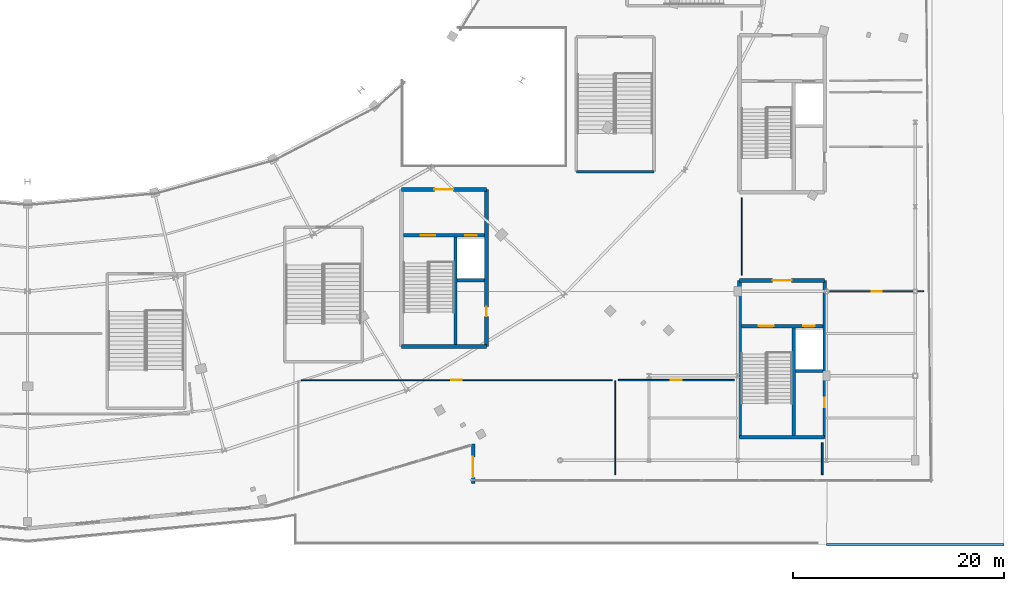
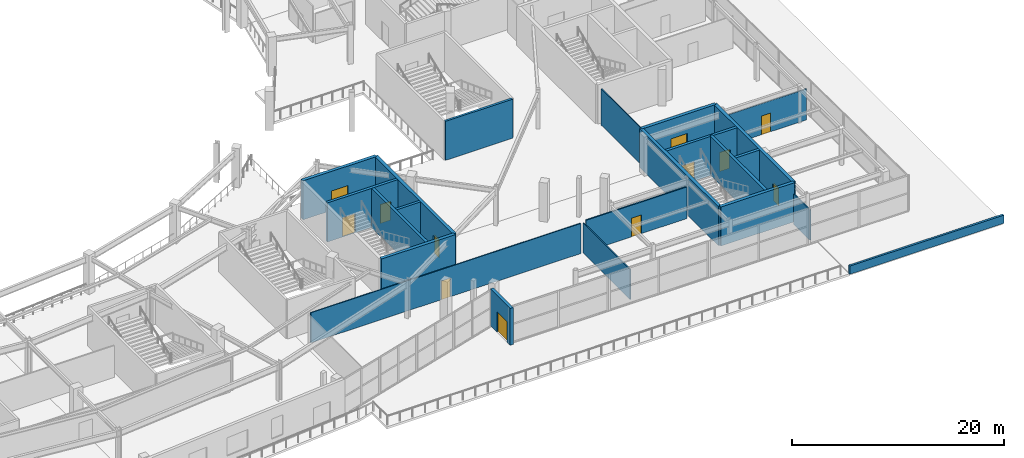
# One storey, part 80 of 107: 22 walls, 12 doors, 12 openings.
"""IFC4 building model written with IfcOpenShell, lengths in metres."""

import ifcopenshell
import ifcopenshell.guid

model = None  # the IFC model being written
_history = None  # IfcOwnerHistory: only IFC2X3 demands one
_inside = {}  # id of a spatial element -> (the spatial element, [elements in it])
_under = {}  # id of a project, library or spatial element -> (it, [spatial elements below it])
_declared = {}  # id of a project -> (the project, [libraries it declares])
_typed = {}  # id of a type object -> (the type object, [elements of that type])
_made_of = {}  # id of a material, layer set ... -> (it, [elements and type objects made of it])


def new_model(schema):
    """Start an empty IFC model of exactly this schema.

    Asked for "IFC4X3", IfcOpenShell would pick the latest addendum, in which some entities
    have other attributes; the version numbers below select the first issue.
    IFC2X3 requires an IfcOwnerHistory on every rooted entity: one is made here for all.
    """
    global model, _history
    if schema == "IFC4X3":
        model = ifcopenshell.file(schema_version=(4, 3, 0, 0))
    else:
        model = ifcopenshell.file(schema=schema)
    _inside.clear()
    _under.clear()
    _declared.clear()
    _typed.clear()
    _made_of.clear()
    _history = None
    if model.schema == "IFC2X3":
        org = make("IfcOrganization", Name="unknown")
        user = make(
            "IfcPersonAndOrganization",
            ThePerson=make("IfcPerson", FamilyName="unknown"),
            TheOrganization=org,
        )
        app = make(
            "IfcApplication",
            ApplicationDeveloper=org,
            Version="unknown",
            ApplicationFullName="unknown",
            ApplicationIdentifier="unknown",
        )
        _history = make(
            "IfcOwnerHistory",
            OwningUser=user,
            OwningApplication=app,
            ChangeAction="ADDED",
            CreationDate=0,
        )
    return model


def make(cls, **values):
    """One entity of the class cls with the attributes given. An attribute that is None is left unset."""
    return model.create_entity(
        cls, **{name: value for name, value in values.items() if value is not None}
    )


def rooted(cls, **values):
    """An entity with a GlobalId (a new one), such as an element, a storey or a relation."""
    return make(cls, GlobalId=ifcopenshell.guid.new(), OwnerHistory=_history, **values)


def si_unit(unit_type, name, prefix=None):
    """IfcSIUnit, for example si_unit("LENGTHUNIT", "METRE", prefix="MILLI")."""
    return make("IfcSIUnit", UnitType=unit_type, Prefix=prefix, Name=name)


def assignment(units):
    """IfcUnitAssignment: the units of a project."""
    return None if units is None else make("IfcUnitAssignment", Units=units)


def point(xyz):
    """IfcCartesianPoint."""
    return None if xyz is None else make("IfcCartesianPoint", Coordinates=xyz)


def direction(xyz):
    """IfcDirection."""
    return None if xyz is None else make("IfcDirection", DirectionRatios=xyz)


def frame(location, z_axis=None, x_axis=None):
    """IfcAxis2Placement3D, a coordinate frame: its origin and axes. An axis left out is left unset."""
    return make(
        "IfcAxis2Placement3D",
        Location=point(location),
        Axis=direction(z_axis),
        RefDirection=direction(x_axis),
    )


def frame_2d(location, x_axis=None):
    """IfcAxis2Placement2D, a coordinate frame in the plane: its origin and x axis."""
    return make(
        "IfcAxis2Placement2D", Location=point(location), RefDirection=direction(x_axis)
    )


def origin():
    """The frame at (0, 0, 0) with its axes left unset."""
    return frame((0.0, 0.0, 0.0))


def place(relative_to, where):
    """IfcLocalPlacement: puts the frame where relative to a parent placement (None: the world)."""
    return make(
        "IfcLocalPlacement", PlacementRelTo=relative_to, RelativePlacement=where
    )


def context(
    kind, dimensions, precision=None, world=None, true_north=None, identifier=None
):
    """IfcGeometricRepresentationContext, for example the 3D "Model" context."""
    return make(
        "IfcGeometricRepresentationContext",
        ContextIdentifier=identifier,
        ContextType=kind,
        CoordinateSpaceDimension=dimensions,
        Precision=precision,
        WorldCoordinateSystem=world,
        TrueNorth=true_north,
    )


def subcontext(parent, identifier, kind, view, scale=None):
    """IfcGeometricRepresentationSubContext, for example "Body" below "Model"."""
    return make(
        "IfcGeometricRepresentationSubContext",
        ContextIdentifier=identifier,
        ContextType=kind,
        ParentContext=parent,
        TargetScale=scale,
        TargetView=view,
    )


def project(units=None, contexts=None):
    """IfcProject with its units and contexts."""
    return rooted(
        "IfcProject",
        Name="project",
        RepresentationContexts=contexts,
        UnitsInContext=assignment(units),
    )


def spatial(cls, under=None, at=None, **own):
    """A site, building, storey or space (cls), placed at a placement, below another one or the project."""
    s = rooted(cls, ObjectPlacement=at, **own)
    if under is not None:
        _under.setdefault(under.id(), (under, []))[1].append(s)
    return s


def profile(cls, at=None, kind="AREA", **sizes):
    """A parametric profile (cls). Its sizes go by their IFC names, for example OverallWidth=200.0."""
    return make(cls, ProfileType=kind, Position=at, **sizes)


def rectangle(**sizes):
    """IfcRectangleProfileDef."""
    return profile("IfcRectangleProfileDef", **sizes)


def extrude(swept, where, along, depth):
    """IfcExtrudedAreaSolid: the profile swept, set in the frame where, extruded along a direction by depth."""
    return make(
        "IfcExtrudedAreaSolid",
        SweptArea=swept,
        Position=where,
        ExtrudedDirection=direction(along),
        Depth=depth,
    )


def shape(context_of_items, identifier, shape_type, items):
    """IfcShapeRepresentation: the items that make up one representation, for example the "Body"."""
    return make(
        "IfcShapeRepresentation",
        ContextOfItems=context_of_items,
        RepresentationIdentifier=identifier,
        RepresentationType=shape_type,
        Items=items,
    )


def material(Name=None, Category=None):
    """IfcMaterial."""
    return make("IfcMaterial", Name=Name, Category=Category)


def layer(
    of_material, thickness, ventilated=None, Name=None, Category=None, Priority=None
):
    """IfcMaterialLayer: one layer of a wall or slab, of a material (None: an air gap)."""
    return make(
        "IfcMaterialLayer",
        Material=of_material,
        LayerThickness=thickness,
        IsVentilated=ventilated,
        Name=Name,
        Category=Category,
        Priority=Priority,
    )


def layer_set(layers, Name=None):
    """IfcMaterialLayerSet."""
    return make("IfcMaterialLayerSet", MaterialLayers=layers, LayerSetName=Name)


def made_of(thing, what):
    """Note that an element or type object is made of a material, layer set ...; save() writes the relation."""
    if what is not None:
        _made_of.setdefault(what.id(), (what, []))[1].append(thing)
    return thing


def type_object(cls, material=None, **own):
    """A type object (cls), such as IfcWallType, which elements share."""
    return made_of(rooted(cls, **own), material)


def element(
    cls,
    number,
    at=None,
    inside=None,
    cuts=None,
    type_object=None,
    material=None,
    context=None,
    identifier="Body",
    shape_type=None,
    held_by="IfcProductDefinitionShape",
    body=None,
    shapes=None,
    **own,
):
    """One element of the class cls, such as IfcWall. Its Tag is "e" and its number.

    at: its placement. inside: the storey or other place that contains it. cuts: it is an
    opening in that element (IfcRelVoidsElement). A single representation is given by context,
    identifier, shape_type and body (its items); several are given by shapes. held_by: the class
    of the entity that holds the representations. save() writes the other relations.
    """
    e = rooted(cls, Tag="e%d" % number, ObjectPlacement=at, **own)
    if body is not None:
        shapes = [shape(context, identifier, shape_type, body)]
    if shapes is not None:
        e.Representation = make(held_by, Representations=shapes)
    if inside is not None:
        _inside.setdefault(inside.id(), (inside, []))[1].append(e)
    if cuts is not None:
        rooted(
            "IfcRelVoidsElement", RelatingBuildingElement=cuts, RelatedOpeningElement=e
        )
    if type_object is not None:
        _typed.setdefault(type_object.id(), (type_object, []))[1].append(e)
    return made_of(e, material)


def fill(opening, filler):
    """IfcRelFillsElement: the door or window that sits in an opening."""
    return rooted(
        "IfcRelFillsElement",
        RelatingOpeningElement=opening,
        RelatedBuildingElement=filler,
    )


def aggregate(whole, parts):
    """IfcRelAggregates: a whole, such as a stair, and the parts it consists of."""
    return rooted("IfcRelAggregates", RelatingObject=whole, RelatedObjects=parts)


def save(model, path):
    """Write the relations noted so far, then the file.

    IfcRelAggregates (storeys below a building ...), IfcRelContainedInSpatialStructure (elements
    in a storey), IfcRelDefinesByType, IfcRelAssociatesMaterial and IfcRelDeclares: one each for
    every whole, place, type object, material and project.
    """
    for whole, parts in _under.values():
        aggregate(whole, parts)
    for where, things in _inside.values():
        rooted(
            "IfcRelContainedInSpatialStructure",
            RelatedElements=things,
            RelatingStructure=where,
        )
    for kind, things in _typed.values():
        rooted("IfcRelDefinesByType", RelatedObjects=things, RelatingType=kind)
    for what, things in _made_of.values():
        rooted("IfcRelAssociatesMaterial", RelatedObjects=things, RelatingMaterial=what)
    for by, libraries in _declared.values():
        rooted("IfcRelDeclares", RelatingContext=by, RelatedDefinitions=libraries)
    model.write(path)


model = new_model("IFC4")

# Units and contexts
model_context = context("Model", 3, precision=1e-05, world=origin(), true_north=direction((0.0, 1.0)))
body_context = subcontext(model_context, "Body", "Model", "MODEL_VIEW")
ifc_project = project(units=[si_unit("LENGTHUNIT", "METRE"), si_unit("AREAUNIT", "SQUARE_METRE"), si_unit("VOLUMEUNIT", "CUBIC_METRE"), si_unit("PLANEANGLEUNIT", "RADIAN"), si_unit("MASSUNIT", "GRAM", prefix="KILO")], contexts=[model_context])

# Site, building, storey
site_placement = place(None, origin())
site = spatial("IfcSite", under=ifc_project, at=site_placement, CompositionType="ELEMENT")
building_placement = place(site_placement, origin())
building = spatial("IfcBuilding", under=site, at=building_placement, Name="Kalgoora Escarpment Arena", CompositionType="ELEMENT")
storey_placement = place(building_placement, frame((0.0, 0.0, 5.39990234375)))
storey = spatial("IfcBuildingStorey", under=building, at=storey_placement, Name="L01", CompositionType="ELEMENT", Elevation=5.39990234375)

# Wall
ifc_material_1 = material(Name="Concrete N50 (fc' 50 MPa)", Category="concrete")
ifc_layer_1 = layer(ifc_material_1, 0.35009765625)
ifc_layer_set_1 = layer_set([ifc_layer_1], Name="WAL-CORE-350")
wall_type_1 = type_object("IfcWallType", Name="WAL-CORE-350", PredefinedType="SHEAR", material=ifc_layer_set_1)
wall_1_placement = place(storey_placement, frame((127.77490234375, 18.77490234375, 0.0), z_axis=(0.0, 0.0, 1.0), x_axis=(1.0, 0.0, 0.0)))
element("IfcWall", 1, at=wall_1_placement, inside=storey, type_object=wall_type_1, Name="Core C6 L01 south shear wall", PredefinedType="SHEAR", context=body_context, shape_type="SweptSolid", body=[
    extrude(rectangle(XDim=8.050048828125, YDim=0.35009765625, at=frame_2d((4.02490234375, 0.0))), origin(), (0.0, 0.0, 1.0), 4.5),
])

# Wall, opening, door
wall_2_placement = place(storey_placement, frame((127.77490234375, 33.625, 0.0), z_axis=(0.0, 0.0, 1.0), x_axis=(1.0, 0.0, 0.0)))
wall_2 = element("IfcWall", 2, at=wall_2_placement, inside=storey, type_object=wall_type_1, Name="Core C6 L01 north lobby wall", PredefinedType="SHEAR", context=body_context, shape_type="SweptSolid", body=[
    extrude(rectangle(XDim=8.050048828125, YDim=0.35009765625, at=frame_2d((4.02490234375, 0.0))), origin(), (0.0, 0.0, 1.0), 4.5),
])
opening_1_placement = place(wall_2_placement, frame((3.125, 0.0, 0.0)))
opening_1 = element("IfcOpeningElement", 3, at=opening_1_placement, cuts=wall_2, Name="Opening FD-C6L", PredefinedType="OPENING", context=body_context, shape_type="SweptSolid", body=[
    extrude(rectangle(XDim=1.800048828125, YDim=2.25, at=frame_2d((0.89990234375, 1.125))), frame((0.0, 0.18505859375, 0.0), z_axis=(0.0, -1.0, 0.0), x_axis=(1.0, 0.0, 0.0)), (0.0, 0.0, 1.0), 0.3701171875),
])
ifc_material_2 = material(Name="Double fire-rated smoke-seal lobby door")
door_type_1 = type_object("IfcDoorType", Name="DR-LOBBY-1800", OperationType="NOTDEFINED", PredefinedType="DOOR", material=ifc_material_2)
door_1_placement = place(opening_1_placement, origin())
door_1 = element("IfcDoor", 4, at=door_1_placement, inside=storey, type_object=door_type_1, Name="Core C6 L01 smoke-lobby fire door", OperationType="DOUBLE_DOOR_SINGLE_SWING", OverallHeight=2.25, OverallWidth=1.800048828125, PredefinedType="DOOR", context=body_context, shape_type="SweptSolid", body=[
    extrude(rectangle(XDim=1.800048828125, YDim=2.25, at=frame_2d((0.89990234375, 1.125))), frame((0.0, 0.02490234375, 0.0), z_axis=(0.0, -1.0, 0.0), x_axis=(1.0, 0.0, 0.0)), (0.0, 0.0, 1.0), 0.050048828125),
])
fill(opening_1, door_1)

wall_3_placement = place(storey_placement, frame((135.824951171875, 18.77490234375, 0.0), z_axis=(0.0, 0.0, 1.0), x_axis=(0.0, 1.0, 0.0)))
wall_3 = element("IfcWall", 5, at=wall_3_placement, inside=storey, type_object=wall_type_1, Name="Core C6 L01 east shear wall", PredefinedType="SHEAR", context=body_context, shape_type="SweptSolid", body=[
    extrude(rectangle(XDim=14.85009765625, YDim=0.35009765625, at=frame_2d((7.425048828125, 0.0))), origin(), (0.0, 0.0, 1.0), 4.5),
])
opening_2_placement = place(wall_3_placement, frame((2.85498046875, 0.0, 0.0)))
opening_2 = element("IfcOpeningElement", 6, at=opening_2_placement, cuts=wall_3, Name="Opening FD-C6R", PredefinedType="OPENING", context=body_context, shape_type="SweptSolid", body=[
    extrude(rectangle(XDim=0.89990234375, YDim=2.10009765625, at=frame_2d((0.449951171875, 1.050048828125))), frame((0.0, 0.18505859375, 0.0), z_axis=(0.0, -1.0, 0.0), x_axis=(1.0, 0.0, 0.0)), (0.0, 0.0, 1.0), 0.3701171875),
])
ifc_material_3 = material(Name="Fire-rated steel riser access door", Category="steel")
door_type_2 = type_object("IfcDoorType", Name="DR-RISER-0900", OperationType="NOTDEFINED", PredefinedType="DOOR", material=ifc_material_3)
door_2_placement = place(opening_2_placement, origin())
door_2 = element("IfcDoor", 7, at=door_2_placement, inside=storey, type_object=door_type_2, Name="Core C6 L01 riser cupboard access door", OperationType="SINGLE_SWING_RIGHT", OverallHeight=2.10009765625, OverallWidth=0.89990234375, PredefinedType="DOOR", context=body_context, shape_type="SweptSolid", body=[
    extrude(rectangle(XDim=0.89990234375, YDim=2.10009765625, at=frame_2d((0.449951171875, 1.050048828125))), frame((0.0, 0.02490234375, 0.0), z_axis=(0.0, -1.0, 0.0), x_axis=(1.0, 0.0, 0.0)), (0.0, 0.0, 1.0), 0.050048828125),
])
fill(opening_2, door_2)

# Wall
wall_4_placement = place(storey_placement, frame((159.77490234375, 10.175048828125, 0.0), z_axis=(0.0, 0.0, 1.0), x_axis=(1.0, 0.0, 0.0)))
element("IfcWall", 8, at=wall_4_placement, inside=storey, type_object=wall_type_1, Name="Core C8 L01 south shear wall", PredefinedType="SHEAR", context=body_context, shape_type="SweptSolid", body=[
    extrude(rectangle(XDim=8.050048828125, YDim=0.35009765625, at=frame_2d((4.02490234375, 0.0))), origin(), (0.0, 0.0, 1.0), 4.5),
])

# Wall, opening, door
wall_5_placement = place(storey_placement, frame((159.77490234375, 25.02490234375, 0.0), z_axis=(0.0, 0.0, 1.0), x_axis=(1.0, 0.0, 0.0)))
wall_5 = element("IfcWall", 9, at=wall_5_placement, inside=storey, type_object=wall_type_1, Name="Core C8 L01 north lobby wall", PredefinedType="SHEAR", context=body_context, shape_type="SweptSolid", body=[
    extrude(rectangle(XDim=8.050048828125, YDim=0.35009765625, at=frame_2d((4.02490234375, 0.0))), origin(), (0.0, 0.0, 1.0), 4.5),
])
opening_3_placement = place(wall_5_placement, frame((3.125, 0.0, 0.0)))
opening_3 = element("IfcOpeningElement", 10, at=opening_3_placement, cuts=wall_5, Name="Opening FD-C8L", PredefinedType="OPENING", context=body_context, shape_type="SweptSolid", body=[
    extrude(rectangle(XDim=1.800048828125, YDim=2.25, at=frame_2d((0.89990234375, 1.125))), frame((0.0, 0.18505859375, 0.0), z_axis=(0.0, -1.0, 0.0), x_axis=(1.0, 0.0, 0.0)), (0.0, 0.0, 1.0), 0.3701171875),
])
door_3_placement = place(opening_3_placement, origin())
door_3 = element("IfcDoor", 11, at=door_3_placement, inside=storey, type_object=door_type_1, Name="Core C8 L01 smoke-lobby fire door", OperationType="DOUBLE_DOOR_SINGLE_SWING", OverallHeight=2.25, OverallWidth=1.800048828125, PredefinedType="DOOR", context=body_context, shape_type="SweptSolid", body=[
    extrude(rectangle(XDim=1.800048828125, YDim=2.25, at=frame_2d((0.89990234375, 1.125))), frame((0.0, 0.02490234375, 0.0), z_axis=(0.0, -1.0, 0.0), x_axis=(1.0, 0.0, 0.0)), (0.0, 0.0, 1.0), 0.050048828125),
])
fill(opening_3, door_3)

# Wall
wall_6_placement = place(storey_placement, frame((159.77490234375, 10.175048828125, 0.0), z_axis=(0.0, 0.0, 1.0), x_axis=(0.0, 1.0, 0.0)))
element("IfcWall", 12, at=wall_6_placement, inside=storey, type_object=wall_type_1, Name="Core C8 L01 west shear wall", PredefinedType="SHEAR", context=body_context, shape_type="SweptSolid", body=[
    extrude(rectangle(XDim=14.849853515625, YDim=0.35009765625, at=frame_2d((7.4248046875, 0.0))), origin(), (0.0, 0.0, 1.0), 4.5),
])

# Wall, opening, door
wall_7_placement = place(storey_placement, frame((167.824951171875, 10.175048828125, 0.0), z_axis=(0.0, 0.0, 1.0), x_axis=(0.0, 1.0, 0.0)))
wall_7 = element("IfcWall", 13, at=wall_7_placement, inside=storey, type_object=wall_type_1, Name="Core C8 L01 east shear wall", PredefinedType="SHEAR", context=body_context, shape_type="SweptSolid", body=[
    extrude(rectangle(XDim=14.849853515625, YDim=0.35009765625, at=frame_2d((7.4248046875, 0.0))), origin(), (0.0, 0.0, 1.0), 4.5),
])
opening_4_placement = place(wall_7_placement, frame((2.85498046875, 0.0, 0.0)))
opening_4 = element("IfcOpeningElement", 14, at=opening_4_placement, cuts=wall_7, Name="Opening FD-C8R", PredefinedType="OPENING", context=body_context, shape_type="SweptSolid", body=[
    extrude(rectangle(XDim=0.89990234375, YDim=2.10009765625, at=frame_2d((0.449951171875, 1.050048828125))), frame((0.0, 0.18505859375, 0.0), z_axis=(0.0, -1.0, 0.0), x_axis=(1.0, 0.0, 0.0)), (0.0, 0.0, 1.0), 0.3701171875),
])
door_4_placement = place(opening_4_placement, origin())
door_4 = element("IfcDoor", 15, at=door_4_placement, inside=storey, type_object=door_type_2, Name="Core C8 L01 riser cupboard access door", OperationType="SINGLE_SWING_LEFT", OverallHeight=2.10009765625, OverallWidth=0.89990234375, PredefinedType="DOOR", context=body_context, shape_type="SweptSolid", body=[
    extrude(rectangle(XDim=0.89990234375, YDim=2.10009765625, at=frame_2d((0.449951171875, 1.050048828125))), frame((0.0, 0.02490234375, 0.0), z_axis=(0.0, -1.0, 0.0), x_axis=(1.0, 0.0, 0.0)), (0.0, 0.0, 1.0), 0.050048828125),
])
fill(opening_4, door_4)

ifc_material_4 = material(Name="Fluted Art Deco precast concrete 40 MPa", Category="concrete")
ifc_layer_2 = layer(ifc_material_4, 0.340087890625)
ifc_layer_set_2 = layer_set([ifc_layer_2], Name="WAL-EXT-340")
wall_type_2 = type_object("IfcWallType", Name="WAL-EXT-340", PredefinedType="SOLIDWALL", material=ifc_layer_set_2)
wall_8_placement = place(storey_placement, frame((134.570068359375, 5.802734375, 0.0), z_axis=(0.0, 0.0, 1.0), x_axis=(0.0, 1.0, 0.0)))
wall_8 = element("IfcWall", 16, at=wall_8_placement, inside=storey, type_object=wall_type_2, Name="L01 limestone-faced external wall 025", PredefinedType="SOLIDWALL", context=body_context, shape_type="SweptSolid", body=[
    extrude(rectangle(XDim=3.734130859375, YDim=0.340087890625, at=frame_2d((1.8671875, 0.0))), origin(), (0.0, 0.0, 1.0), 4.25),
])
opening_5_placement = place(wall_8_placement, frame((0.589111328125, 0.0, 0.0)))
opening_5 = element("IfcOpeningElement", 17, at=opening_5_placement, cuts=wall_8, Name="Opening TD17", PredefinedType="OPENING", context=body_context, shape_type="SweptSolid", body=[
    extrude(rectangle(XDim=1.949951171875, YDim=2.35009765625, at=frame_2d((0.97509765625, 1.175048828125))), frame((0.0, 0.179931640625, 0.0), z_axis=(0.0, -1.0, 0.0), x_axis=(1.0, 0.0, 0.0)), (0.0, 0.0, 1.0), 0.360107421875),
])
ifc_material_5 = material(Name="Thermally broken aluminium glazed terrace double door", Category="aluminium")
door_type_3 = type_object("IfcDoorType", Name="DR-TERR-1950", OperationType="NOTDEFINED", PredefinedType="DOOR", material=ifc_material_5)
door_5_placement = place(opening_5_placement, origin())
door_5 = element("IfcDoor", 18, at=door_5_placement, inside=storey, type_object=door_type_3, Name="Lower Planted Elliptical Garden Promenade access door TD17", OperationType="DOUBLE_DOOR_SINGLE_SWING", OverallHeight=2.35009765625, OverallWidth=1.949951171875, PredefinedType="DOOR", context=body_context, shape_type="SweptSolid", body=[
    extrude(rectangle(XDim=1.949951171875, YDim=2.35009765625, at=frame_2d((0.97509765625, 1.175048828125))), frame((0.0, 0.02490234375, 0.0), z_axis=(0.0, -1.0, 0.0), x_axis=(1.0, 0.0, 0.0)), (0.0, 0.0, 1.0), 0.050048828125),
])
fill(opening_5, door_5)

ifc_material_6 = material(Name="Framed acoustic studio partition", Category="gypsum")
ifc_layer_3 = layer(ifc_material_6, 0.10498046875)
ifc_layer_set_3 = layer_set([ifc_layer_3], Name="WAL-GLZ-105")
wall_type_3 = type_object("IfcWallType", Name="WAL-GLZ-105", PredefinedType="PARTITIONING", material=ifc_layer_set_3)
wall_9_placement = place(storey_placement, frame((177.188720703125, 24.0, 0.0), z_axis=(0.0, 0.0, 1.0), x_axis=(-1.0, 0.0, 0.0)))
wall_9 = element("IfcWall", 19, at=wall_9_placement, inside=storey, type_object=wall_type_3, Name="L01 Community Room partition wall", PredefinedType="PARTITIONING", context=body_context, shape_type="SweptSolid", body=[
    extrude(rectangle(XDim=8.86376953125, YDim=0.10498046875, at=frame_2d((4.431884765625, 0.0))), origin(), (0.0, 0.0, 1.0), 3.572998046875),
])
opening_6_placement = place(wall_9_placement, frame((3.94189453125, 0.0, 0.0)))
opening_6 = element("IfcOpeningElement", 20, at=opening_6_placement, cuts=wall_9, Name="Opening D-I060", PredefinedType="OPENING", context=body_context, shape_type="SweptSolid", body=[
    extrude(rectangle(XDim=0.97998046875, YDim=2.14990234375, at=frame_2d((0.489990234375, 1.074951171875))), frame((0.0, 0.0625, 0.0), z_axis=(0.0, -1.0, 0.0), x_axis=(1.0, 0.0, 0.0)), (0.0, 0.0, 1.0), 0.125),
])
ifc_material_7 = material(Name="Solid-core acoustic timber door", Category="wood")
door_type_4 = type_object("IfcDoorType", Name="DR-GEN-0980", OperationType="NOTDEFINED", PredefinedType="DOOR", material=ifc_material_7)
door_6_placement = place(opening_6_placement, origin())
door_6 = element("IfcDoor", 21, at=door_6_placement, inside=storey, type_object=door_type_4, Name="Community Room entrance door", OperationType="SINGLE_SWING_LEFT", OverallHeight=2.14990234375, OverallWidth=0.97998046875, PredefinedType="DOOR", context=body_context, shape_type="SweptSolid", body=[
    extrude(rectangle(XDim=0.97998046875, YDim=2.14990234375, at=frame_2d((0.489990234375, 1.074951171875))), frame((0.0, 0.02490234375, 0.0), z_axis=(0.0, -1.0, 0.0), x_axis=(1.0, 0.0, 0.0)), (0.0, 0.0, 1.0), 0.050048828125),
])
fill(opening_6, door_6)

# Walls
wall_10_placement = place(storey_placement, frame((160.0, 25.52490234375, 0.0), z_axis=(0.0, 0.0, 1.0), x_axis=(0.0, 1.0, 0.0)))
element("IfcWall", 22, at=wall_10_placement, inside=storey, type_object=wall_type_3, Name="L01 Community Room partition wall", PredefinedType="PARTITIONING", context=body_context, shape_type="SweptSolid", body=[
    extrude(rectangle(XDim=7.35009765625, YDim=0.10498046875, at=frame_2d((3.675048828125, 0.0))), origin(), (0.0, 0.0, 1.0), 4.2001953125),
])
wall_11_placement = place(storey_placement, frame((148.0, 15.52001953125, 0.0), z_axis=(0.0, 0.0, 1.0), x_axis=(0.0, -1.0, 0.0)))
element("IfcWall", 23, at=wall_11_placement, inside=storey, type_object=wall_type_3, Name="L01 Western Heritage Exhibition partition wall", PredefinedType="PARTITIONING", context=body_context, shape_type="SweptSolid", body=[
    extrude(rectangle(XDim=8.8701171875, YDim=0.10498046875, at=frame_2d((4.43505859375, 0.0))), origin(), (0.0, 0.0, 1.0), 3.47509765625),
])

# Wall, opening, door
wall_12_placement = place(storey_placement, frame((118.284912109375, 15.60009765625, 0.0), z_axis=(0.0, 0.0, 1.0), x_axis=(1.0, 0.0, 0.0)))
wall_12 = element("IfcWall", 24, at=wall_12_placement, inside=storey, type_object=wall_type_3, Name="L01 Western Heritage Exhibition partition wall", PredefinedType="PARTITIONING", context=body_context, shape_type="SweptSolid", body=[
    extrude(rectangle(XDim=29.43017578125, YDim=0.10498046875, at=frame_2d((14.715087890625, 0.0))), origin(), (0.0, 0.0, 1.0), 3.47509765625),
])
opening_7_placement = place(wall_12_placement, frame((14.22509765625, 0.0, 0.0)))
opening_7 = element("IfcOpeningElement", 25, at=opening_7_placement, cuts=wall_12, Name="Opening D-I064", PredefinedType="OPENING", context=body_context, shape_type="SweptSolid", body=[
    extrude(rectangle(XDim=0.97998046875, YDim=2.14990234375, at=frame_2d((0.489990234375, 1.074951171875))), frame((0.0, 0.0625, 0.0), z_axis=(0.0, -1.0, 0.0), x_axis=(1.0, 0.0, 0.0)), (0.0, 0.0, 1.0), 0.125),
])
door_7_placement = place(opening_7_placement, origin())
door_7 = element("IfcDoor", 26, at=door_7_placement, inside=storey, type_object=door_type_4, Name="Western Heritage Exhibition entrance door", OperationType="SINGLE_SWING_LEFT", OverallHeight=2.14990234375, OverallWidth=0.97998046875, PredefinedType="DOOR", context=body_context, shape_type="SweptSolid", body=[
    extrude(rectangle(XDim=0.97998046875, YDim=2.14990234375, at=frame_2d((0.489990234375, 1.074951171875))), frame((0.0, 0.02490234375, 0.0), z_axis=(0.0, -1.0, 0.0), x_axis=(1.0, 0.0, 0.0)), (0.0, 0.0, 1.0), 0.050048828125),
])
fill(opening_7, door_7)

# Walls
ifc_material_8 = material(Name="Precast limestone coping parapet Concrete N40 (fc' 40 MPa)", Category="masonry")
ifc_layer_4 = layer(ifc_material_8, 0.22509765625)
ifc_layer_set_4 = layer_set([ifc_layer_4], Name="WAL-PAR-225")
wall_type_4 = type_object("IfcWallType", Name="WAL-PAR-225", PredefinedType="PARAPET", material=ifc_layer_set_4)
wall_13_placement = place(storey_placement, frame((184.800048828125, 0.0, 0.0), z_axis=(0.0, 0.0, 1.0), x_axis=(-1.0, 0.0, 0.0)))
element("IfcWall", 27, at=wall_13_placement, inside=storey, type_object=wall_type_4, Name="L01 stepped ziggurat limestone parapet 001", PredefinedType="PARAPET", context=body_context, shape_type="SweptSolid", body=[
    extrude(rectangle(XDim=16.800048828125, YDim=0.22509765625, at=frame_2d((8.39990234375, 0.0))), origin(), (0.0, 0.0, 1.0), 0.9501953125),
])
ifc_material_9 = material(Name="Insulated steel-stud acoustic partition", Category="steel")
ifc_layer_5 = layer(ifc_material_9, 0.14501953125)
ifc_layer_set_5 = layer_set([ifc_layer_5], Name="WAL-ROOM-145")
wall_type_5 = type_object("IfcWallType", Name="WAL-ROOM-145", PredefinedType="PARTITIONING", material=ifc_layer_set_5)
wall_14_placement = place(storey_placement, frame((167.60009765625, 9.675048828125, 0.0), z_axis=(0.0, 0.0, 1.0), x_axis=(0.0, -1.0, 0.0)))
element("IfcWall", 28, at=wall_14_placement, inside=storey, type_object=wall_type_5, Name="L01 Sensory Quiet Suite partition wall", PredefinedType="PARTITIONING", context=body_context, shape_type="SweptSolid", body=[
    extrude(rectangle(XDim=3.025146484375, YDim=0.14501953125, at=frame_2d((1.5126953125, 0.0))), origin(), (0.0, 0.0, 1.0), 3.47509765625),
])

# Wall, opening, door
wall_15_placement = place(storey_placement, frame((148.284912109375, 15.60009765625, 0.0), z_axis=(0.0, 0.0, 1.0), x_axis=(1.0, 0.0, 0.0)))
wall_15 = element("IfcWall", 29, at=wall_15_placement, inside=storey, type_object=wall_type_5, Name="L01 Sensory Quiet Suite partition wall", PredefinedType="PARTITIONING", context=body_context, shape_type="SweptSolid", body=[
    extrude(rectangle(XDim=10.989990234375, YDim=0.14501953125, at=frame_2d((5.4951171875, 0.0))), origin(), (0.0, 0.0, 1.0), 3.64208984375),
])
opening_8_placement = place(wall_15_placement, frame((4.955078125, 0.0, 0.0)))
opening_8 = element("IfcOpeningElement", 30, at=opening_8_placement, cuts=wall_15, Name="Opening FD-I065", PredefinedType="OPENING", context=body_context, shape_type="SweptSolid", body=[
    extrude(rectangle(XDim=1.080078125, YDim=2.14990234375, at=frame_2d((0.5400390625, 1.074951171875))), frame((0.0, 0.08251953125, 0.0), z_axis=(0.0, -1.0, 0.0), x_axis=(1.0, 0.0, 0.0)), (0.0, 0.0, 1.0), 0.1650390625),
])
ifc_material_10 = material(Name="Solid-core acoustic timber door", Category="wood")
door_type_5 = type_object("IfcDoorType", Name="DR-GEN-1080", OperationType="NOTDEFINED", PredefinedType="DOOR", material=ifc_material_10)
door_8_placement = place(opening_8_placement, origin())
door_8 = element("IfcDoor", 31, at=door_8_placement, inside=storey, type_object=door_type_5, Name="Sensory Quiet Suite entrance door", OperationType="SINGLE_SWING_RIGHT", OverallHeight=2.14990234375, OverallWidth=1.080078125, PredefinedType="DOOR", context=body_context, shape_type="SweptSolid", body=[
    extrude(rectangle(XDim=1.080078125, YDim=2.14990234375, at=frame_2d((0.5400390625, 1.074951171875))), frame((0.0, 0.02490234375, 0.0), z_axis=(0.0, -1.0, 0.0), x_axis=(1.0, 0.0, 0.0)), (0.0, 0.0, 1.0), 0.050048828125),
])
fill(opening_8, door_8)

# Wall, openings, doors
ifc_material_11 = material(Name="Concrete N50 (fc' 50 MPa)", Category="concrete")
ifc_layer_6 = layer(ifc_material_11, 0.300048828125)
ifc_layer_set_6 = layer_set([ifc_layer_6], Name="WAL-SHAFT-300")
wall_type_6 = type_object("IfcWallType", Name="WAL-SHAFT-300", PredefinedType="SHEAR", material=ifc_layer_set_6)
wall_16_placement = place(storey_placement, frame((127.949951171875, 29.300048828125, 0.0), z_axis=(0.0, 0.0, 1.0), x_axis=(1.0, 0.0, 0.0)))
wall_16 = element("IfcWall", 32, at=wall_16_placement, inside=storey, type_object=wall_type_6, Name="Core C6 L01 lobby shaft wall", PredefinedType="SHEAR", context=body_context, shape_type="SweptSolid", body=[
    extrude(rectangle(XDim=7.699951171875, YDim=0.300048828125, at=frame_2d((3.85009765625, 0.0))), origin(), (0.0, 0.0, 1.0), 4.5),
])
opening_9_placement = place(wall_16_placement, frame((1.64990234375, 0.0, 0.0)))
opening_9 = element("IfcOpeningElement", 33, at=opening_9_placement, cuts=wall_16, Name="Opening FD-ST06", PredefinedType="OPENING", context=body_context, shape_type="SweptSolid", body=[
    extrude(rectangle(XDim=1.39990234375, YDim=2.199951171875, at=frame_2d((0.699951171875, 1.10009765625))), frame((0.0, 0.159912109375, 0.0), z_axis=(0.0, -1.0, 0.0), x_axis=(1.0, 0.0, 0.0)), (0.0, 0.0, 1.0), 0.320068359375),
])
opening_10_placement = place(wall_16_placement, frame((5.85009765625, 0.0, 0.0)))
opening_10 = element("IfcOpeningElement", 34, at=opening_10_placement, cuts=wall_16, Name="Opening LD-PL4", PredefinedType="OPENING", context=body_context, shape_type="SweptSolid", body=[
    extrude(rectangle(XDim=1.10009765625, YDim=2.199951171875, at=frame_2d((0.550048828125, 1.10009765625))), frame((0.0, 0.159912109375, 0.0), z_axis=(0.0, -1.0, 0.0), x_axis=(1.0, 0.0, 0.0)), (0.0, 0.0, 1.0), 0.320068359375),
])
ifc_material_12 = material(Name="Brushed stainless steel sliding lift landing door", Category="steel")
door_type_6 = type_object("IfcDoorType", Name="DR-LD-PL4", OperationType="SLIDING_TO_LEFT", PredefinedType="DOOR", material=ifc_material_12)
door_9_placement = place(opening_10_placement, origin())
door_9 = element("IfcDoor", 35, at=door_9_placement, inside=storey, type_object=door_type_6, Name="Lift PL4 L01 sliding landing door", OperationType="SLIDING_TO_LEFT", OverallHeight=2.199951171875, OverallWidth=1.10009765625, PredefinedType="DOOR", context=body_context, shape_type="SweptSolid", body=[
    extrude(rectangle(XDim=1.10009765625, YDim=2.199951171875, at=frame_2d((0.550048828125, 1.10009765625))), frame((0.0, 0.02490234375, 0.0), z_axis=(0.0, -1.0, 0.0), x_axis=(1.0, 0.0, 0.0)), (0.0, 0.0, 1.0), 0.050048828125),
])
fill(opening_10, door_9)
ifc_material_13 = material(Name="Fire-rated steel stair leaf with vision panel", Category="steel")
door_type_7 = type_object("IfcDoorType", Name="DR-STAIR-1400", OperationType="NOTDEFINED", PredefinedType="DOOR", material=ifc_material_13)
door_10_placement = place(opening_9_placement, origin())
door_10 = element("IfcDoor", 36, at=door_10_placement, inside=storey, type_object=door_type_7, Name="Fire stair ST06 L01 fire door", OperationType="SINGLE_SWING_LEFT", OverallHeight=2.199951171875, OverallWidth=1.39990234375, PredefinedType="DOOR", context=body_context, shape_type="SweptSolid", body=[
    extrude(rectangle(XDim=1.39990234375, YDim=2.199951171875, at=frame_2d((0.699951171875, 1.10009765625))), frame((0.0, 0.02490234375, 0.0), z_axis=(0.0, -1.0, 0.0), x_axis=(1.0, 0.0, 0.0)), (0.0, 0.0, 1.0), 0.050048828125),
])
fill(opening_9, door_10)

# Walls
wall_17_placement = place(storey_placement, frame((132.89990234375, 18.949951171875, 0.0), z_axis=(0.0, 0.0, 1.0), x_axis=(0.0, 1.0, 0.0)))
element("IfcWall", 37, at=wall_17_placement, inside=storey, type_object=wall_type_6, Name="Core C6 L01 stair-lift spine wall", PredefinedType="SHEAR", context=body_context, shape_type="SweptSolid", body=[
    extrude(rectangle(XDim=10.35009765625, YDim=0.300048828125, at=frame_2d((5.175048828125, 0.0))), origin(), (0.0, 0.0, 1.0), 4.5),
])
wall_18_placement = place(storey_placement, frame((133.050048828125, 25.050048828125, 0.0), z_axis=(0.0, 0.0, 1.0), x_axis=(1.0, 0.0, 0.0)))
element("IfcWall", 38, at=wall_18_placement, inside=storey, type_object=wall_type_6, Name="Core C6 L01 lift-riser divider wall", PredefinedType="SHEAR", context=body_context, shape_type="SweptSolid", body=[
    extrude(rectangle(XDim=2.599853515625, YDim=0.300048828125, at=frame_2d((1.2998046875, 0.0))), origin(), (0.0, 0.0, 1.0), 4.5),
])

# Wall, openings, doors
wall_19_placement = place(storey_placement, frame((159.949951171875, 20.699951171875, 0.0), z_axis=(0.0, 0.0, 1.0), x_axis=(1.0, 0.0, 0.0)))
wall_19 = element("IfcWall", 39, at=wall_19_placement, inside=storey, type_object=wall_type_6, Name="Core C8 L01 lobby shaft wall", PredefinedType="SHEAR", context=body_context, shape_type="SweptSolid", body=[
    extrude(rectangle(XDim=7.699951171875, YDim=0.300048828125, at=frame_2d((3.85009765625, 0.0))), origin(), (0.0, 0.0, 1.0), 4.5),
])
opening_11_placement = place(wall_19_placement, frame((1.64990234375, 0.0, 0.0)))
opening_11 = element("IfcOpeningElement", 40, at=opening_11_placement, cuts=wall_19, Name="Opening FD-ST08", PredefinedType="OPENING", context=body_context, shape_type="SweptSolid", body=[
    extrude(rectangle(XDim=1.39990234375, YDim=2.199951171875, at=frame_2d((0.699951171875, 1.10009765625))), frame((0.0, 0.159912109375, 0.0), z_axis=(0.0, -1.0, 0.0), x_axis=(1.0, 0.0, 0.0)), (0.0, 0.0, 1.0), 0.320068359375),
])
opening_12_placement = place(wall_19_placement, frame((5.85009765625, 0.0, 0.0)))
opening_12 = element("IfcOpeningElement", 41, at=opening_12_placement, cuts=wall_19, Name="Opening LD-GL2", PredefinedType="OPENING", context=body_context, shape_type="SweptSolid", body=[
    extrude(rectangle(XDim=1.10009765625, YDim=2.199951171875, at=frame_2d((0.550048828125, 1.10009765625))), frame((0.0, 0.159912109375, 0.0), z_axis=(0.0, -1.0, 0.0), x_axis=(1.0, 0.0, 0.0)), (0.0, 0.0, 1.0), 0.320068359375),
])
ifc_material_14 = material(Name="Brushed stainless steel sliding lift landing door", Category="steel")
door_type_8 = type_object("IfcDoorType", Name="DR-LD-GL2", OperationType="SLIDING_TO_LEFT", PredefinedType="DOOR", material=ifc_material_14)
door_11_placement = place(opening_12_placement, origin())
door_11 = element("IfcDoor", 42, at=door_11_placement, inside=storey, type_object=door_type_8, Name="Lift GL2 L01 sliding landing door", OperationType="SLIDING_TO_LEFT", OverallHeight=2.199951171875, OverallWidth=1.10009765625, PredefinedType="DOOR", context=body_context, shape_type="SweptSolid", body=[
    extrude(rectangle(XDim=1.10009765625, YDim=2.199951171875, at=frame_2d((0.550048828125, 1.10009765625))), frame((0.0, 0.02490234375, 0.0), z_axis=(0.0, -1.0, 0.0), x_axis=(1.0, 0.0, 0.0)), (0.0, 0.0, 1.0), 0.050048828125),
])
fill(opening_12, door_11)
door_12_placement = place(opening_11_placement, origin())
door_12 = element("IfcDoor", 43, at=door_12_placement, inside=storey, type_object=door_type_7, Name="Fire stair ST08 L01 fire door", OperationType="SINGLE_SWING_RIGHT", OverallHeight=2.199951171875, OverallWidth=1.39990234375, PredefinedType="DOOR", context=body_context, shape_type="SweptSolid", body=[
    extrude(rectangle(XDim=1.39990234375, YDim=2.199951171875, at=frame_2d((0.699951171875, 1.10009765625))), frame((0.0, 0.02490234375, 0.0), z_axis=(0.0, -1.0, 0.0), x_axis=(1.0, 0.0, 0.0)), (0.0, 0.0, 1.0), 0.050048828125),
])
fill(opening_11, door_12)

# Walls
wall_20_placement = place(storey_placement, frame((164.89990234375, 10.35009765625, 0.0), z_axis=(0.0, 0.0, 1.0), x_axis=(0.0, 1.0, 0.0)))
element("IfcWall", 44, at=wall_20_placement, inside=storey, type_object=wall_type_6, Name="Core C8 L01 stair-lift spine wall", PredefinedType="SHEAR", context=body_context, shape_type="SweptSolid", body=[
    extrude(rectangle(XDim=10.349853515625, YDim=0.300048828125, at=frame_2d((5.1748046875, 0.0))), origin(), (0.0, 0.0, 1.0), 4.5),
])
wall_21_placement = place(storey_placement, frame((165.050048828125, 16.449951171875, 0.0), z_axis=(0.0, 0.0, 1.0), x_axis=(1.0, 0.0, 0.0)))
element("IfcWall", 45, at=wall_21_placement, inside=storey, type_object=wall_type_6, Name="Core C8 L01 lift-riser divider wall", PredefinedType="SHEAR", context=body_context, shape_type="SweptSolid", body=[
    extrude(rectangle(XDim=2.599853515625, YDim=0.300048828125, at=frame_2d((1.2998046875, 0.0))), origin(), (0.0, 0.0, 1.0), 4.5),
])
ifc_material_15 = material(Name="Concrete N50 (fc' 50 MPa)", Category="concrete")
ifc_layer_7 = layer(ifc_material_15, 0.25)
ifc_layer_set_7 = layer_set([ifc_layer_7], Name="WAL-STAIR-250")
wall_type_7 = type_object("IfcWallType", Name="WAL-STAIR-250", PredefinedType="SHEAR", material=ifc_layer_set_7)
wall_22_placement = place(storey_placement, frame((144.324951171875, 35.324951171875, 0.0), z_axis=(0.0, 0.0, 1.0), x_axis=(1.0, 0.0, 0.0)))
element("IfcWall", 46, at=wall_22_placement, inside=storey, type_object=wall_type_7, Name="Exit stair ST24 L01 south wall", PredefinedType="SHEAR", context=body_context, shape_type="SweptSolid", body=[
    extrude(rectangle(XDim=7.35009765625, YDim=0.25, at=frame_2d((3.675048828125, 0.0))), origin(), (0.0, 0.0, 1.0), 4.5),
])

save(model, "model.ifc")
